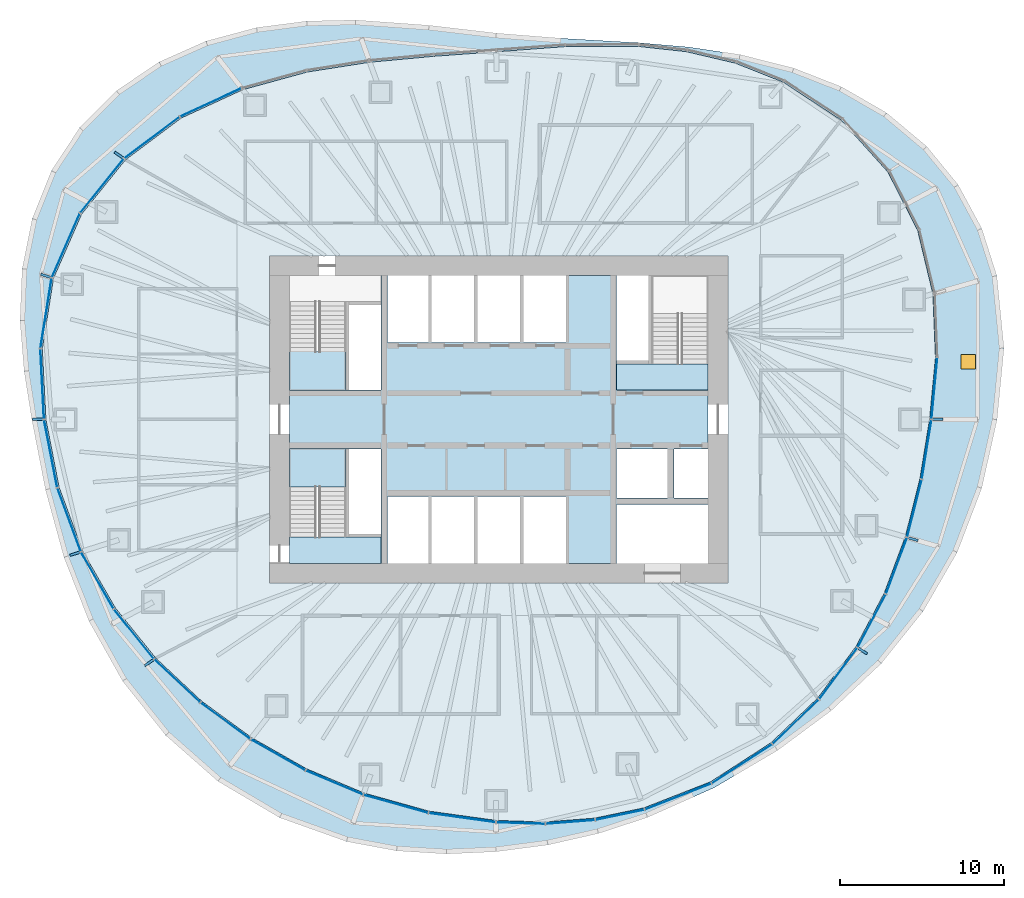
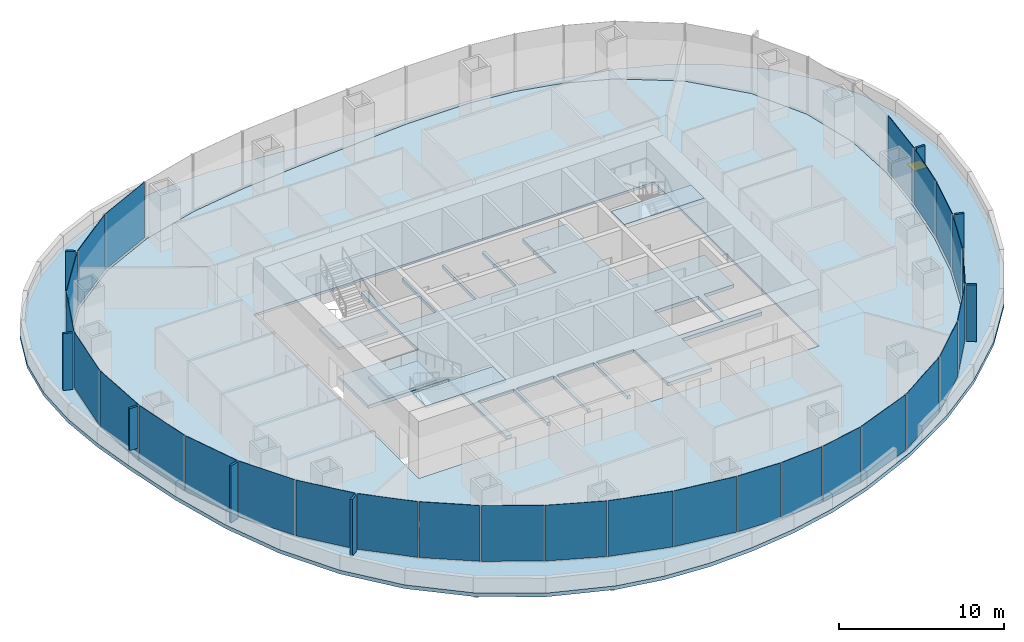
# One storey, part 7 of 12: 36 plates, 7 slabs, 1 window, 1 opening, 17 elements without a shape of their own.
"""IFC4 building model written with IfcOpenShell, lengths in metres."""

from ifc_helpers import new_model, si_unit, direction, frame, origin, origin_2d, place, context, subcontext, project, spatial, polyline, rectangle, outline, extrude, material, layer, layer_set, type_object, element, fill, aggregate, save


model = new_model("IFC4")

# Units and contexts
model_context = context("Model", 3, precision=1e-05, world=origin(), true_north=direction((0.0, 1.0)))
body_context = subcontext(model_context, "Body", "Model", "MODEL_VIEW")
ifc_project = project(units=[si_unit("LENGTHUNIT", "METRE"), si_unit("AREAUNIT", "SQUARE_METRE"), si_unit("VOLUMEUNIT", "CUBIC_METRE"), si_unit("PLANEANGLEUNIT", "RADIAN"), si_unit("MASSUNIT", "GRAM", prefix="KILO")], contexts=[model_context])

# Site, building, storey
site_placement = place(None, origin())
site = spatial("IfcSite", under=ifc_project, at=site_placement, CompositionType="ELEMENT")
building_placement = place(site_placement, origin())
building = spatial("IfcBuilding", under=site, at=building_placement, Name="Ghaith Harvest Tower", CompositionType="ELEMENT")
storey_placement = place(building_placement, frame((0.0, 0.0, 194.800048828125)))
storey = spatial("IfcBuildingStorey", under=building, at=storey_placement, Name="L42", CompositionType="ELEMENT", Elevation=194.800048828125)

# Curtain wall, plate
ifc_material_1 = material(Name="Black anodised aluminium and fritted glass", Category="aluminium")
curtain_wall_type = type_object("IfcCurtainWallType", Name="CW-H CURTAIN WALL", PredefinedType="NOTDEFINED", material=ifc_material_1)
curtain_wall_1_placement = place(storey_placement, origin())
curtain_wall_1 = element("IfcCurtainWall", 1, at=curtain_wall_1_placement, inside=storey, type_object=curtain_wall_type, Name="Curtain wall CW-H bay 01 L42", PredefinedType="NOTDEFINED")
ifc_material_2 = material(Name="Glass, dark solar-control fritted double glazed unit", Category="glass")
ifc_layer_1 = layer(ifc_material_2, 0.030029296875)
ifc_layer_set_1 = layer_set([ifc_layer_1], Name="CW-H VISION PANEL")
plate_type_1 = type_object("IfcPlateType", Name="CW-H VISION PANEL", PredefinedType="CURTAIN_PANEL", material=ifc_layer_set_1)
plate_1_placement = place(storey_placement, frame((26.624755859375, 1.89794921875, 0.079833984375), z_axis=(0.0, 0.0, 1.0), x_axis=(0.094301909937, 0.995543645343, 0.0)))
plate_1 = element("IfcPlate", 2, at=plate_1_placement, type_object=plate_type_1, Name="CW-H glass unit 1 bay 01 L42", PredefinedType="CURTAIN_PANEL", context=body_context, shape_type="SweptSolid", body=[
    extrude(rectangle(XDim=3.73291015625, YDim=0.030029296875, at=origin_2d()), origin(), (0.0, 0.0, 1.0), 4.1201171875),
])
aggregate(curtain_wall_1, [plate_1])

# Curtain wall, plates
curtain_wall_2_placement = place(storey_placement, origin())
curtain_wall_2 = element("IfcCurtainWall", 3, at=curtain_wall_2_placement, inside=storey, type_object=curtain_wall_type, Name="Curtain wall CW-H bay 08 L42", PredefinedType="NOTDEFINED")
plate_2_placement = place(storey_placement, frame((-17.608154296875, 19.370849609375, 0.079833984375), z_axis=(0.0, 0.0, 1.0), x_axis=(-0.907814470414, -0.419372015408, 0.0)))
plate_2 = element("IfcPlate", 4, at=plate_2_placement, type_object=plate_type_1, Name="CW-H glass unit 1 bay 08 L42", PredefinedType="CURTAIN_PANEL", context=body_context, shape_type="SweptSolid", body=[
    extrude(rectangle(XDim=4.077392578125, YDim=0.030029296875, at=origin_2d()), origin(), (0.0, 0.0, 1.0), 4.1201171875),
])
plate_3_placement = place(storey_placement, frame((-21.20166015625, 17.219482421875, 0.079833984375), z_axis=(0.0, 0.0, 1.0), x_axis=(-0.800067053187, -0.599910585341, 0.0)))
plate_3 = element("IfcPlate", 5, at=plate_3_placement, type_object=plate_type_1, Name="CW-H glass unit 2 bay 08 L42", PredefinedType="CURTAIN_PANEL", context=body_context, shape_type="SweptSolid", body=[
    extrude(rectangle(XDim=4.18603515625, YDim=0.030029296875, at=origin_2d()), origin(), (0.0, 0.0, 1.0), 4.1201171875),
])
aggregate(curtain_wall_2, [plate_2, plate_3])

curtain_wall_3_placement = place(storey_placement, origin())
curtain_wall_3 = element("IfcCurtainWall", 6, at=curtain_wall_3_placement, inside=storey, type_object=curtain_wall_type, Name="Curtain wall CW-H bay 09 L42", PredefinedType="NOTDEFINED")
plate_4_placement = place(storey_placement, frame((-24.25390625, 14.270263671875, 0.079833984375), z_axis=(0.0, 0.0, 1.0), x_axis=(-0.627547637499, -0.778578167347, 0.0)))
plate_4 = element("IfcPlate", 7, at=plate_4_placement, type_object=plate_type_1, Name="CW-H glass unit 1 bay 09 L42", PredefinedType="CURTAIN_PANEL", context=body_context, shape_type="SweptSolid", body=[
    extrude(rectangle(XDim=4.208740234375, YDim=0.030029296875, at=origin_2d()), origin(), (0.0, 0.0, 1.0), 4.1201171875),
])
plate_5_placement = place(storey_placement, frame((-26.462646484375, 10.63037109375, 0.079833984375), z_axis=(0.0, 0.0, 1.0), x_axis=(-0.40121291108, -0.915984825192, 0.0)))
plate_5 = element("IfcPlate", 8, at=plate_5_placement, type_object=plate_type_1, Name="CW-H glass unit 2 bay 09 L42", PredefinedType="CURTAIN_PANEL", context=body_context, shape_type="SweptSolid", body=[
    extrude(rectangle(XDim=4.22216796875, YDim=0.030029296875, at=origin_2d()), origin(), (0.0, 0.0, 1.0), 4.1201171875),
])
aggregate(curtain_wall_3, [plate_4, plate_5])

curtain_wall_4_placement = place(storey_placement, origin())
curtain_wall_4 = element("IfcCurtainWall", 9, at=curtain_wall_4_placement, inside=storey, type_object=curtain_wall_type, Name="Curtain wall CW-H bay 10 L42", PredefinedType="NOTDEFINED")
plate_6_placement = place(storey_placement, frame((-27.670654296875, 6.49658203125, 0.079833984375), z_axis=(0.0, 0.0, 1.0), x_axis=(-0.157514341695, -0.987516699687, 0.0)))
plate_6 = element("IfcPlate", 10, at=plate_6_placement, type_object=plate_type_1, Name="CW-H glass unit 1 bay 10 L42", PredefinedType="CURTAIN_PANEL", context=body_context, shape_type="SweptSolid", body=[
    extrude(rectangle(XDim=4.301513671875, YDim=0.030029296875, at=origin_2d()), origin(), (0.0, 0.0, 1.0), 4.1201171875),
])
plate_7_placement = place(storey_placement, frame((-27.905517578125, 2.16650390625, 0.079833984375), z_axis=(0.0, 0.0, 1.0), x_axis=(0.050894857592, -0.998704016949, 0.0)))
plate_7 = element("IfcPlate", 11, at=plate_7_placement, type_object=plate_type_1, Name="CW-H glass unit 2 bay 10 L42", PredefinedType="CURTAIN_PANEL", context=body_context, shape_type="SweptSolid", body=[
    extrude(rectangle(XDim=4.2587890625, YDim=0.030029296875, at=origin_2d()), origin(), (0.0, 0.0, 1.0), 4.1201171875),
])
aggregate(curtain_wall_4, [plate_6, plate_7])

curtain_wall_5_placement = place(storey_placement, origin())
curtain_wall_5 = element("IfcCurtainWall", 12, at=curtain_wall_5_placement, inside=storey, type_object=curtain_wall_type, Name="Curtain wall CW-H bay 11 L42", PredefinedType="NOTDEFINED")
plate_8_placement = place(storey_placement, frame((-27.39013671875, -2.0869140625, 0.079833984375), z_axis=(0.0, 0.0, 1.0), x_axis=(0.190426809322, -0.981701395686, 0.0)))
plate_8 = element("IfcPlate", 13, at=plate_8_placement, type_object=plate_type_1, Name="CW-H glass unit 1 bay 11 L42", PredefinedType="CURTAIN_PANEL", context=body_context, shape_type="SweptSolid", body=[
    extrude(rectangle(XDim=4.171630859375, YDim=0.030029296875, at=origin_2d()), origin(), (0.0, 0.0, 1.0), 4.1201171875),
])
plate_9_placement = place(storey_placement, frame((-26.261962890625, -6.1337890625, 0.079833984375), z_axis=(0.0, 0.0, 1.0), x_axis=(0.346303431688, -0.938122557666, 0.0)))
plate_9 = element("IfcPlate", 14, at=plate_9_placement, type_object=plate_type_1, Name="CW-H glass unit 2 bay 11 L42", PredefinedType="CURTAIN_PANEL", context=body_context, shape_type="SweptSolid", body=[
    extrude(rectangle(XDim=4.098388671875, YDim=0.030029296875, at=origin_2d()), origin(), (0.0, 0.0, 1.0), 4.1201171875),
])
aggregate(curtain_wall_5, [plate_8, plate_9])

curtain_wall_6_placement = place(storey_placement, origin())
curtain_wall_6 = element("IfcCurtainWall", 15, at=curtain_wall_6_placement, inside=storey, type_object=curtain_wall_type, Name="Curtain wall CW-H bay 12 L42", PredefinedType="NOTDEFINED")
plate_10_placement = place(storey_placement, frame((-24.535888671875, -9.838623046875, 0.079833984375), z_axis=(0.0, 0.0, 1.0), x_axis=(0.49818018945, -0.867073525625, 0.0)))
plate_10 = element("IfcPlate", 16, at=plate_10_placement, type_object=plate_type_1, Name="CW-H glass unit 1 bay 12 L42", PredefinedType="CURTAIN_PANEL", context=body_context, shape_type="SweptSolid", body=[
    extrude(rectangle(XDim=3.945068359375, YDim=0.030029296875, at=origin_2d()), origin(), (0.0, 0.0, 1.0), 4.1201171875),
])
plate_11_placement = place(storey_placement, frame((-22.29736328125, -13.119140625, 0.079833984375), z_axis=(0.0, 0.0, 1.0), x_axis=(0.626957061695, -0.779053812513, 0.0)))
plate_11 = element("IfcPlate", 17, at=plate_11_placement, type_object=plate_type_1, Name="CW-H glass unit 2 bay 12 L42", PredefinedType="CURTAIN_PANEL", context=body_context, shape_type="SweptSolid", body=[
    extrude(rectangle(XDim=3.8623046875, YDim=0.030029296875, at=origin_2d()), origin(), (0.0, 0.0, 1.0), 4.1201171875),
])
aggregate(curtain_wall_6, [plate_10, plate_11])

curtain_wall_7_placement = place(storey_placement, origin())
curtain_wall_7 = element("IfcCurtainWall", 18, at=curtain_wall_7_placement, inside=storey, type_object=curtain_wall_type, Name="Curtain wall CW-H bay 13 L42", PredefinedType="NOTDEFINED")
plate_12_placement = place(storey_placement, frame((-19.649658203125, -15.98046875, 0.079833984375), z_axis=(0.0, 0.0, 1.0), x_axis=(0.729016864325, -0.684495735217, 0.0)))
plate_12 = element("IfcPlate", 19, at=plate_12_placement, type_object=plate_type_1, Name="CW-H glass unit 1 bay 13 L42", PredefinedType="CURTAIN_PANEL", context=body_context, shape_type="SweptSolid", body=[
    extrude(rectangle(XDim=3.793212890625, YDim=0.030029296875, at=origin_2d()), origin(), (0.0, 0.0, 1.0), 4.1201171875),
])
plate_13_placement = place(storey_placement, frame((-16.707763671875, -18.42431640625, 0.079833984375), z_axis=(0.0, 0.0, 1.0), x_axis=(0.80736351134, -0.590054370848, 0.0)))
plate_13 = element("IfcPlate", 20, at=plate_13_placement, type_object=plate_type_1, Name="CW-H glass unit 2 bay 13 L42", PredefinedType="CURTAIN_PANEL", context=body_context, shape_type="SweptSolid", body=[
    extrude(rectangle(XDim=3.710693359375, YDim=0.030029296875, at=origin_2d()), origin(), (0.0, 0.0, 1.0), 4.1201171875),
])
aggregate(curtain_wall_7, [plate_12, plate_13])

curtain_wall_8_placement = place(storey_placement, origin())
curtain_wall_8 = element("IfcCurtainWall", 21, at=curtain_wall_8_placement, inside=storey, type_object=curtain_wall_type, Name="Curtain wall CW-H bay 14 L42", PredefinedType="NOTDEFINED")
plate_14_placement = place(storey_placement, frame((-13.496337890625, -20.496826171875, 0.079833984375), z_axis=(0.0, 0.0, 1.0), x_axis=(0.869715300233, -0.493553742303, 0.0)))
plate_14 = element("IfcPlate", 22, at=plate_14_placement, type_object=plate_type_1, Name="CW-H glass unit 1 bay 14 L42", PredefinedType="CURTAIN_PANEL", context=body_context, shape_type="SweptSolid", body=[
    extrude(rectangle(XDim=3.785888671875, YDim=0.030029296875, at=origin_2d()), origin(), (0.0, 0.0, 1.0), 4.1201171875),
])
plate_15_placement = place(storey_placement, frame((-10.050537109375, -22.1962890625, 0.079833984375), z_axis=(0.0, 0.0, 1.0), x_axis=(0.921181516072, -0.389133157734, 0.0)))
plate_15 = element("IfcPlate", 23, at=plate_15_placement, type_object=plate_type_1, Name="CW-H glass unit 2 bay 14 L42", PredefinedType="CURTAIN_PANEL", context=body_context, shape_type="SweptSolid", body=[
    extrude(rectangle(XDim=3.751220703125, YDim=0.030029296875, at=origin_2d()), origin(), (0.0, 0.0, 1.0), 4.1201171875),
])
aggregate(curtain_wall_8, [plate_14, plate_15])

curtain_wall_9_placement = place(storey_placement, origin())
curtain_wall_9 = element("IfcCurtainWall", 24, at=curtain_wall_9_placement, inside=storey, type_object=curtain_wall_type, Name="Curtain wall CW-H bay 15 L42", PredefinedType="NOTDEFINED")
plate_16_placement = place(storey_placement, frame((-6.291015625, -23.49853515625, 0.079833984375), z_axis=(0.0, 0.0, 1.0), x_axis=(0.963162861349, -0.268918765647, 0.0)))
plate_16 = element("IfcPlate", 25, at=plate_16_placement, type_object=plate_type_1, Name="CW-H glass unit 1 bay 15 L42", PredefinedType="CURTAIN_PANEL", context=body_context, shape_type="SweptSolid", body=[
    extrude(rectangle(XDim=4.062744140625, YDim=0.030029296875, at=origin_2d()), origin(), (0.0, 0.0, 1.0), 4.1201171875),
])
plate_17_placement = place(storey_placement, frame((-2.232177734375, -24.34033203125, 0.079833984375), z_axis=(0.0, 0.0, 1.0), x_axis=(0.990612268407, -0.136701622823, 0.0)))
plate_17 = element("IfcPlate", 26, at=plate_17_placement, type_object=plate_type_1, Name="CW-H glass unit 2 bay 15 L42", PredefinedType="CURTAIN_PANEL", context=body_context, shape_type="SweptSolid", body=[
    extrude(rectangle(XDim=4.08642578125, YDim=0.030029296875, at=origin_2d()), origin(), (0.0, 0.0, 1.0), 4.1201171875),
])
aggregate(curtain_wall_9, [plate_16, plate_17])

curtain_wall_10_placement = place(storey_placement, origin())
curtain_wall_10 = element("IfcCurtainWall", 27, at=curtain_wall_10_placement, inside=storey, type_object=curtain_wall_type, Name="Curtain wall CW-H bay 16 L42", PredefinedType="NOTDEFINED")
plate_18_placement = place(storey_placement, frame((1.339599609375, -24.67333984375, 0.079833984375), z_axis=(0.0, 0.0, 1.0), x_axis=(0.99949125523, -0.031894054587, 0.0)))
plate_18 = element("IfcPlate", 28, at=plate_18_placement, type_object=plate_type_1, Name="CW-H glass unit 1 bay 16 L42", PredefinedType="CURTAIN_PANEL", context=body_context, shape_type="SweptSolid", body=[
    extrude(rectangle(XDim=2.937744140625, YDim=0.030029296875, at=origin_2d()), origin(), (0.0, 0.0, 1.0), 4.1201171875),
])
plate_19_placement = place(storey_placement, frame((4.37060546875, -24.60205078125, 0.079833984375), z_axis=(0.0, 0.0, 1.0), x_axis=(0.996945418782, 0.078101421048, 0.0)))
plate_19 = element("IfcPlate", 29, at=plate_19_placement, type_object=plate_type_1, Name="CW-H glass unit 2 bay 16 L42", PredefinedType="CURTAIN_PANEL", context=body_context, shape_type="SweptSolid", body=[
    extrude(rectangle(XDim=2.974853515625, YDim=0.030029296875, at=origin_2d()), origin(), (0.0, 0.0, 1.0), 4.1201171875),
])
plate_20_placement = place(storey_placement, frame((7.40478515625, -24.16650390625, 0.079833984375), z_axis=(0.0, 0.0, 1.0), x_axis=(0.978788872874, 0.204871526422, 0.0)))
plate_20 = element("IfcPlate", 30, at=plate_20_placement, type_object=plate_type_1, Name="CW-H glass unit 3 bay 16 L42", PredefinedType="CURTAIN_PANEL", context=body_context, shape_type="SweptSolid", body=[
    extrude(rectangle(XDim=3.00830078125, YDim=0.030029296875, at=origin_2d()), origin(), (0.0, 0.0, 1.0), 4.1201171875),
])
aggregate(curtain_wall_10, [plate_18, plate_19, plate_20])

curtain_wall_11_placement = place(storey_placement, origin())
curtain_wall_11 = element("IfcCurtainWall", 31, at=curtain_wall_11_placement, inside=storey, type_object=curtain_wall_type, Name="Curtain wall CW-H bay 17 L42", PredefinedType="NOTDEFINED")
plate_21_placement = place(storey_placement, frame((10.963134765625, -23.048583984375, 0.079833984375), z_axis=(0.0, 0.0, 1.0), x_axis=(0.931161161765, 0.364607858966, 0.0)))
plate_21 = element("IfcPlate", 32, at=plate_21_placement, type_object=plate_type_1, Name="CW-H glass unit 1 bay 17 L42", PredefinedType="CURTAIN_PANEL", context=body_context, shape_type="SweptSolid", body=[
    extrude(rectangle(XDim=4.316650390625, YDim=0.030029296875, at=origin_2d()), origin(), (0.0, 0.0, 1.0), 4.1201171875),
])
plate_22_placement = place(storey_placement, frame((14.869384765625, -21.042724609375, 0.079833984375), z_axis=(0.0, 0.0, 1.0), x_axis=(0.839305300126, 0.543660384045, 0.0)))
plate_22 = element("IfcPlate", 33, at=plate_22_placement, type_object=plate_type_1, Name="CW-H glass unit 2 bay 17 L42", PredefinedType="CURTAIN_PANEL", context=body_context, shape_type="SweptSolid", body=[
    extrude(rectangle(XDim=4.35107421875, YDim=0.030029296875, at=origin_2d()), origin(), (0.0, 0.0, 1.0), 4.1201171875),
])
aggregate(curtain_wall_11, [plate_21, plate_22])

curtain_wall_12_placement = place(storey_placement, origin())
curtain_wall_12 = element("IfcCurtainWall", 34, at=curtain_wall_12_placement, inside=storey, type_object=curtain_wall_type, Name="Curtain wall CW-H bay 18 L42", PredefinedType="NOTDEFINED")
plate_23_placement = place(storey_placement, frame((18.151611328125, -18.47705078125, 0.079833984375), z_axis=(0.0, 0.0, 1.0), x_axis=(0.722532585058, 0.691336866896, 0.0)))
plate_23 = element("IfcPlate", 35, at=plate_23_placement, type_object=plate_type_1, Name="CW-H glass unit 1 bay 18 L42", PredefinedType="CURTAIN_PANEL", context=body_context, shape_type="SweptSolid", body=[
    extrude(rectangle(XDim=3.85791015625, YDim=0.030029296875, at=origin_2d()), origin(), (0.0, 0.0, 1.0), 4.1201171875),
])
plate_24_placement = place(storey_placement, frame((20.74853515625, -15.53369140625, 0.079833984375), z_axis=(0.0, 0.0, 1.0), x_axis=(0.596018639888, 0.802970597784, 0.0)))
plate_24 = element("IfcPlate", 36, at=plate_24_placement, type_object=plate_type_1, Name="CW-H glass unit 2 bay 18 L42", PredefinedType="CURTAIN_PANEL", context=body_context, shape_type="SweptSolid", body=[
    extrude(rectangle(XDim=3.8603515625, YDim=0.030029296875, at=origin_2d()), origin(), (0.0, 0.0, 1.0), 4.1201171875),
])
aggregate(curtain_wall_12, [plate_23, plate_24])

curtain_wall_13_placement = place(storey_placement, origin())
curtain_wall_13 = element("IfcCurtainWall", 37, at=curtain_wall_13_placement, inside=storey, type_object=curtain_wall_type, Name="Curtain wall CW-H bay 19 L42", PredefinedType="NOTDEFINED")
plate_25_placement = place(storey_placement, frame((22.79052734375, -12.316162109375, 0.079833984375), z_axis=(0.0, 0.0, 1.0), x_axis=(0.46864379564, 0.883387226989, 0.0)))
plate_25 = element("IfcPlate", 38, at=plate_25_placement, type_object=plate_type_1, Name="CW-H glass unit 1 bay 19 L42", PredefinedType="CURTAIN_PANEL", context=body_context, shape_type="SweptSolid", body=[
    extrude(rectangle(XDim=3.623291015625, YDim=0.030029296875, at=origin_2d()), origin(), (0.0, 0.0, 1.0), 4.1201171875),
])
plate_26_placement = place(storey_placement, frame((24.30712890625, -8.946533203125, 0.079833984375), z_axis=(0.0, 0.0, 1.0), x_axis=(0.350480749824, 0.936569935457, 0.0)))
plate_26 = element("IfcPlate", 39, at=plate_26_placement, type_object=plate_type_1, Name="CW-H glass unit 2 bay 19 L42", PredefinedType="CURTAIN_PANEL", context=body_context, shape_type="SweptSolid", body=[
    extrude(rectangle(XDim=3.62255859375, YDim=0.030029296875, at=origin_2d()), origin(), (0.0, 0.0, 1.0), 4.1201171875),
])
aggregate(curtain_wall_13, [plate_25, plate_26])

curtain_wall_14_placement = place(storey_placement, origin())
curtain_wall_14 = element("IfcCurtainWall", 40, at=curtain_wall_14_placement, inside=storey, type_object=curtain_wall_type, Name="Curtain wall CW-H bay 20 L42", PredefinedType="NOTDEFINED")
plate_27_placement = place(storey_placement, frame((25.404541015625, -5.43701171875, 0.079833984375), z_axis=(0.0, 0.0, 1.0), x_axis=(0.244925945134, 0.969541789404, 0.0)))
plate_27 = element("IfcPlate", 41, at=plate_27_placement, type_object=plate_type_1, Name="CW-H glass unit 1 bay 20 L42", PredefinedType="CURTAIN_PANEL", context=body_context, shape_type="SweptSolid", body=[
    extrude(rectangle(XDim=3.583251953125, YDim=0.030029296875, at=origin_2d()), origin(), (0.0, 0.0, 1.0), 4.1201171875),
])
plate_28_placement = place(storey_placement, frame((26.14892578125, -1.83056640625, 0.079833984375), z_axis=(0.0, 0.0, 1.0), x_axis=(0.159600748097, 0.987181645497, 0.0)))
plate_28 = element("IfcPlate", 42, at=plate_28_placement, type_object=plate_type_1, Name="CW-H glass unit 2 bay 20 L42", PredefinedType="CURTAIN_PANEL", context=body_context, shape_type="SweptSolid", body=[
    extrude(rectangle(XDim=3.628662109375, YDim=0.030029296875, at=origin_2d()), origin(), (0.0, 0.0, 1.0), 4.1201171875),
])
aggregate(curtain_wall_14, [plate_27, plate_28])

# Slabs
ifc_material_3 = material(Name="Concrete C40/50", Category="concrete")
ifc_layer_2 = layer(ifc_material_3, 0.169921875)
ifc_layer_set_2 = layer_set([ifc_layer_2], Name="FLOOR SLAB 170")
slab_type_1 = type_object("IfcSlabType", Name="FLOOR SLAB 170", PredefinedType="FLOOR", material=ifc_layer_set_2)
slab_1_placement = place(storey_placement, frame((0.0, 0.0, -0.170166015625)))
element("IfcSlab", 43, at=slab_1_placement, inside=storey, type_object=slab_type_1, Name="Floor slab L42", PredefinedType="FLOOR", context=body_context, shape_type="SweptSolid", body=[
    extrude(outline(polyline([(26.324951171875, 0.0), (26.685791015625, 3.779052734375), (26.531005859375, 7.668212890625), (25.597900390625, 11.55615234375), (23.77294921875, 15.12939453125), (20.923095703125, 18.295166015625), (17.382080078125, 20.612548828125), (14.460693359375, 21.771484375), (11.47265625, 22.47265625), (8.522216796875, 22.796875), (4.03857421875, 22.78125), (-0.15380859375, 22.470458984375), (-3.963134765625, 22.192138671875), (-7.8837890625, 21.827880859375), (-11.694580078125, 21.2314453125), (-15.6474609375, 20.147705078125), (-19.408203125, 18.41650390625), (-22.809814453125, 15.87109375), (-25.491943359375, 12.547607421875), (-27.211181640625, 8.623779296875), (-27.897216796875, 4.314697265625), (-27.675048828125, 0.0), (-26.86669921875, -4.155517578125), (-25.424072265625, -8.057373046875), (-23.425537109375, -11.530517578125), (-20.963134765625, -14.586181640625), (-18.15087890625, -17.223388671875), (-15.10400390625, -19.447998046875), (-11.75732421875, -21.345703125), (-8.2451171875, -22.82861328125), (-4.27490234375, -23.9375), (-0.167724609375, -24.505126953125), (2.833984375, -24.602294921875), (5.865234375, -24.3662109375), (8.8740234375, -23.73779296875), (12.949462890625, -22.1435546875), (16.651611328125, -19.746337890625), (19.48388671875, -17.036865234375), (21.821533203125, -13.887451171875), (23.548828125, -10.631103515625), (24.840576171875, -7.179443359375), (25.734375, -3.644287109375), (26.324951171875, 0.0)]), holes=[polyline([(-14.0, -10.0), (14.0, -10.0), (14.0, 10.0), (-14.0, 10.0), (-14.0, -10.0)])]), origin(), (0.0, 0.0, 1.0), 0.170166015625),
])
ifc_material_4 = material(Name="Concrete C40/50", Category="concrete")
ifc_layer_3 = layer(ifc_material_4, 0.25)
ifc_layer_set_3 = layer_set([ifc_layer_3], Name="FLOOR SLAB 250")
slab_type_2 = type_object("IfcSlabType", Name="FLOOR SLAB 250", PredefinedType="FLOOR", material=ifc_layer_set_3)
slab_2_placement = place(storey_placement, frame((0.0, 0.0, -0.25)))
element("IfcSlab", 44, at=slab_2_placement, inside=storey, type_object=slab_type_2, Name="Core slab L42", PredefinedType="FLOOR", context=body_context, shape_type="SweptSolid", body=[
    extrude(outline(polyline([(-12.800048828125, 1.800048828125), (-7.199951171875, 1.800048828125), (-7.199951171875, 8.800048828125), (-6.800048828125, 8.800048828125), (-6.800048828125, 4.699951171875), (-4.300048828125, 4.699951171875), (-4.300048828125, 8.800048828125), (-4.10009765625, 8.800048828125), (-4.10009765625, 4.699951171875), (-1.5, 4.699951171875), (-1.5, 8.800048828125), (-1.300048828125, 8.800048828125), (-1.300048828125, 4.699951171875), (1.300048828125, 4.699951171875), (1.300048828125, 8.800048828125), (1.5, 8.800048828125), (1.5, 4.699951171875), (4.10009765625, 4.699951171875), (4.10009765625, 8.800048828125), (7.199951171875, 8.800048828125), (7.199951171875, 1.800048828125), (12.800048828125, 1.800048828125), (12.800048828125, -1.800048828125), (10.699951171875, -1.800048828125), (10.699951171875, -4.800048828125), (12.800048828125, -4.800048828125), (12.800048828125, -5.199951171875), (7.199951171875, -5.199951171875), (7.199951171875, -8.800048828125), (4.10009765625, -8.800048828125), (4.10009765625, -4.699951171875), (1.5, -4.699951171875), (1.5, -8.800048828125), (1.300048828125, -8.800048828125), (1.300048828125, -4.699951171875), (-1.300048828125, -4.699951171875), (-1.300048828125, -8.800048828125), (-1.5, -8.800048828125), (-1.5, -4.699951171875), (-4.10009765625, -4.699951171875), (-4.10009765625, -8.800048828125), (-4.300048828125, -8.800048828125), (-4.300048828125, -4.699951171875), (-6.800048828125, -4.699951171875), (-6.800048828125, -8.800048828125), (-7.199951171875, -8.800048828125), (-7.199951171875, -1.800048828125), (-12.800048828125, -1.800048828125), (-12.800048828125, 1.800048828125)]), holes=[polyline([(10.300048828125, -4.800048828125), (10.300048828125, -1.800048828125), (7.199951171875, -1.800048828125), (7.199951171875, -4.800048828125), (10.300048828125, -4.800048828125)])]), origin(), (0.0, 0.0, 1.0), 0.25),
])

# Slab, opening, window
ifc_material_5 = material(Name="Concrete C40/50", Category="concrete")
ifc_layer_4 = layer(ifc_material_5, 0.27490234375)
ifc_layer_set_4 = layer_set([ifc_layer_4], Name="ROOF SLAB 275")
slab_type_3 = type_object("IfcSlabType", Name="ROOF SLAB 275", PredefinedType="ROOF", material=ifc_layer_set_4)
slab_3_placement = place(storey_placement, frame((0.0, 0.0, -0.275146484375)))
slab_3 = element("IfcSlab", 45, at=slab_3_placement, inside=storey, type_object=slab_type_3, Name="Maintenance roof", PredefinedType="ROOF", context=body_context, shape_type="SweptSolid", body=[
    extrude(outline(polyline([(29.527099609375, -4.181396484375), (28.03125, -8.1015625), (25.94775390625, -11.714111328125), (23.400390625, -14.89208984375), (20.33935546875, -17.784912109375), (17.054443359375, -20.22412109375), (13.163818359375, -22.510498046875), (9.09423828125, -24.326904296875), (6.09228515625, -25.308837890625), (2.99609375, -26.010009765625), (-0.180908203125, -26.423583984375), (-3.204833984375, -26.556884765625), (-6.2666015625, -26.366455078125), (-9.317138671875, -25.79638671875), (-13.4052734375, -24.33740234375), (-17.1728515625, -22.11181640625), (-20.35400390625, -19.31396484375), (-22.99169921875, -15.997802734375), (-25.046875, -12.32861328125), (-26.580078125, -8.423583984375), (-27.70947265625, -4.285888671875), (-28.541259765625, 0.0), (-29.01171875, 2.978271484375), (-29.260498046875, 6.07177734375), (-29.12646484375, 9.230712890625), (-28.506591796875, 12.29638671875), (-27.33837890625, 15.204833984375), (-25.61962890625, 17.826416015625), (-23.398193359375, 20.06103515625), (-20.79248046875, 21.82470703125), (-17.938232421875, 23.097412109375), (-14.860595703125, 23.927978515625), (-11.788818359375, 24.331787109375), (-8.814208984375, 24.404541015625), (-4.302001953125, 24.089111328125), (-0.16162109375, 23.609619140625), (4.125732421875, 23.272705078125), (8.604736328125, 23.017333984375), (11.617919921875, 22.757080078125), (14.79833984375, 22.27978515625), (18.0849609375, 21.4462890625), (20.97998046875, 20.3056640625), (23.7275390625, 18.718017578125), (26.179443359375, 16.660888671875), (28.0888671875, 14.32568359375), (29.52294921875, 11.671875), (30.439208984375, 8.797607421875), (30.8798828125, 4.373046875), (30.458740234375, 0.0), (29.527099609375, -4.181396484375)]), holes=[polyline([(26.685791015625, 3.779052734375), (26.531005859375, 7.668212890625), (25.597900390625, 11.55615234375), (23.77294921875, 15.12939453125), (20.923095703125, 18.295166015625), (17.382080078125, 20.612548828125), (14.460693359375, 21.771484375), (11.47265625, 22.47265625), (8.522216796875, 22.796875), (4.03857421875, 22.78125), (-0.15380859375, 22.470458984375), (-3.963134765625, 22.192138671875), (-7.8837890625, 21.827880859375), (-11.694580078125, 21.2314453125), (-15.6474609375, 20.147705078125), (-19.408203125, 18.41650390625), (-22.809814453125, 15.87109375), (-25.491943359375, 12.547607421875), (-27.211181640625, 8.623779296875), (-27.897216796875, 4.314697265625), (-27.675048828125, 0.0), (-26.86669921875, -4.155517578125), (-25.424072265625, -8.057373046875), (-23.425537109375, -11.530517578125), (-20.963134765625, -14.586181640625), (-18.15087890625, -17.223388671875), (-15.10400390625, -19.447998046875), (-11.75732421875, -21.345703125), (-8.2451171875, -22.82861328125), (-4.27490234375, -23.9375), (-0.167724609375, -24.505126953125), (2.833984375, -24.602294921875), (5.865234375, -24.3662109375), (8.8740234375, -23.73779296875), (12.949462890625, -22.1435546875), (16.651611328125, -19.746337890625), (19.48388671875, -17.036865234375), (21.821533203125, -13.887451171875), (23.548828125, -10.631103515625), (24.840576171875, -7.179443359375), (25.734375, -3.644287109375), (26.324951171875, 0.0), (26.685791015625, 3.779052734375)])]), origin(), (0.0, 0.0, 1.0), 0.275146484375),
])
opening_placement = place(slab_3_placement, frame((28.68896484375, 3.52294921875, 0.0)))
opening = element("IfcOpeningElement", 46, at=opening_placement, cuts=slab_3, Name="Opening RH1", PredefinedType="OPENING", context=body_context, shape_type="SweptSolid", body=[
    extrude(rectangle(XDim=0.89990234375, YDim=0.89990234375, at=origin_2d()), origin(), (0.0, 0.0, 1.0), 0.275146484375),
])
ifc_material_6 = material(Name="Aluminium hatch", Category="aluminium")
window_type = type_object("IfcWindowType", Name="ROOF ACCESS HATCH 900x900", PartitioningType="SINGLE_PANEL", PredefinedType="SKYLIGHT", material=ifc_material_6)
window_placement = place(opening_placement, frame((0.0, 0.0, 0.22509765625)))
window = element("IfcWindow", 47, at=window_placement, inside=storey, type_object=window_type, Name="Roof access hatch L42", OverallHeight=0.89990234375, OverallWidth=0.89990234375, PartitioningType="SINGLE_PANEL", PredefinedType="SKYLIGHT", context=body_context, shape_type="SweptSolid", body=[
    extrude(rectangle(XDim=0.89990234375, YDim=0.89990234375, at=origin_2d()), origin(), (0.0, 0.0, 1.0), 0.050048828125),
])
fill(opening, window)

# Stair, slab
ifc_material_7 = material(Name="Concrete C40/50, precast", Category="concrete")
stair_type = type_object("IfcStairType", Name="CORE STAIR 24R", PredefinedType="HALF_TURN_STAIR", material=ifc_material_7)
stair_1_placement = place(storey_placement, origin())
stair_1 = element("IfcStair", 48, at=stair_1_placement, inside=storey, type_object=stair_type, Name="Stair ST1 L42", PredefinedType="HALF_TURN_STAIR")
ifc_material_8 = material(Name="Concrete C40/50, precast", Category="concrete")
ifc_layer_5 = layer(ifc_material_8, 0.179931640625)
ifc_layer_set_5 = layer_set([ifc_layer_5], Name="STAIR LANDING 180")
slab_type_4 = type_object("IfcSlabType", Name="STAIR LANDING 180", PredefinedType="LANDING", material=ifc_layer_set_5)
slab_4_placement = place(storey_placement, frame((0.0, 0.0, 1.919921875)))
slab_4 = element("IfcSlab", 49, at=slab_4_placement, type_object=slab_type_4, Name="ST1 landing 1", PredefinedType="LANDING", context=body_context, shape_type="SweptSolid", body=[
    extrude(outline(polyline([(-12.800048828125, 4.139892578125), (-12.800048828125, 1.77490234375), (-9.35009765625, 1.77490234375), (-9.35009765625, 4.139892578125), (-12.800048828125, 4.139892578125)])), origin(), (0.0, 0.0, 1.0), 0.179931640625),
])
aggregate(stair_1, [slab_4])

# Stair, slabs
stair_2_placement = place(storey_placement, origin())
stair_2 = element("IfcStair", 50, at=stair_2_placement, inside=storey, type_object=stair_type, Name="Stair ST3 L42", PredefinedType="HALF_TURN_STAIR")
slab_5_placement = place(storey_placement, frame((0.0, 0.0, 1.919921875)))
slab_5 = element("IfcSlab", 51, at=slab_5_placement, type_object=slab_type_4, Name="ST3 landing 1", PredefinedType="LANDING", context=body_context, shape_type="SweptSolid", body=[
    extrude(outline(polyline([(-12.800048828125, -4.139892578125), (-12.800048828125, -1.77490234375), (-9.35009765625, -1.77490234375), (-9.35009765625, -4.139892578125), (-12.800048828125, -4.139892578125)])), origin(), (0.0, 0.0, 1.0), 0.179931640625),
])
slab_6_placement = place(storey_placement, frame((0.0, 0.0, 4.02001953125)))
slab_6 = element("IfcSlab", 52, at=slab_6_placement, type_object=slab_type_4, Name="ST3 landing 2", PredefinedType="LANDING", context=body_context, shape_type="SweptSolid", body=[
    extrude(outline(polyline([(-12.800048828125, -8.800048828125), (-12.800048828125, -7.199951171875), (-7.199951171875, -7.199951171875), (-7.199951171875, -8.800048828125), (-12.800048828125, -8.800048828125)])), origin(), (0.0, 0.0, 1.0), 0.179931640625),
])
aggregate(stair_2, [slab_5, slab_6])

# Stair, slab
stair_3_placement = place(storey_placement, origin())
stair_3 = element("IfcStair", 53, at=stair_3_placement, inside=storey, type_object=stair_type, Name="Stair ST2 L42", PredefinedType="HALF_TURN_STAIR")
slab_7_placement = place(storey_placement, frame((0.0, 0.0, 4.02001953125)))
slab_7 = element("IfcSlab", 54, at=slab_7_placement, type_object=slab_type_4, Name="ST2 landing 2", PredefinedType="LANDING", context=body_context, shape_type="SweptSolid", body=[
    extrude(outline(polyline([(12.800048828125, 1.800048828125), (12.800048828125, 3.39990234375), (7.199951171875, 3.39990234375), (7.199951171875, 1.800048828125), (12.800048828125, 1.800048828125)])), origin(), (0.0, 0.0, 1.0), 0.179931640625),
])
aggregate(stair_3, [slab_7])

# Plates
ifc_material_9 = material(Name="Glassfibre-reinforced concrete", Category="concrete")
ifc_layer_6 = layer(ifc_material_9, 0.14990234375)
ifc_layer_set_6 = layer_set([ifc_layer_6], Name="SUN-BREAKER FIN 600x150")
plate_type_2 = type_object("IfcPlateType", Name="SUN-BREAKER FIN 600x150", PredefinedType="USERDEFINED", material=ifc_layer_set_6)
for number, where, z_axis, x_axis, name in (
    (55, (26.844970703125, 0.0, 0.0), (0.0, 0.0, 1.0), (1.0, 0.0, 0.0), "Sun-breaker fin CW-H 1 bay 01 L42"),
    (56, (-23.236572265625, 16.168212890625, 0.0), (0.0, 0.0, 1.0), (-0.820845486523, 0.571150319316, 0.0), "Sun-breaker fin CW-H 1 bay 09 L42"),
    (57, (-27.70703125, 8.78076171875, 0.0), (0.0, 0.0, 1.0), (-0.953273219358, 0.302109531884, 0.0), "Sun-breaker fin CW-H 1 bay 10 L42"),
):
    element("IfcPlate", number, at=place(storey_placement, frame(where, z_axis=z_axis, x_axis=x_axis)), inside=storey, type_object=plate_type_2, Name=name, ObjectType="SUN-BREAKER FIN", PredefinedType="USERDEFINED", context=body_context, shape_type="SweptSolid", body=[
        extrude(rectangle(XDim=0.60009765625, YDim=0.14990234375, at=origin_2d()), origin(), (0.0, 0.0, 1.0), 4.199951171875),
    ])
plate_29_placement = place(storey_placement, frame((-28.195068359375, 0.0, 1.099853515625), z_axis=(0.0, 0.0, 1.0), x_axis=(-1.0, -4.19e-10, 0.0)))
element("IfcPlate", 58, at=plate_29_placement, inside=storey, type_object=plate_type_2, Name="Sun-breaker fin CW-H 1 bay 11 L42", ObjectType="SUN-BREAKER FIN", PredefinedType="USERDEFINED", context=body_context, shape_type="SweptSolid", body=[
    extrude(rectangle(XDim=0.60009765625, YDim=0.14990234375, at=origin_2d()), origin(), (0.0, 0.0, 1.0), 3.10009765625),
])
for number, where, z_axis, x_axis, name in (
    (59, (-25.919677734375, -8.21435546875, 0.0), (0.0, 0.0, 1.0), (-0.953273219416, -0.302109531701, 0.0), "Sun-breaker fin CW-H 1 bay 12 L42"),
    (60, (-21.389892578125, -14.88330078125, 0.0), (0.0, 0.0, 1.0), (-0.820845486622, -0.571150319173, 0.0), "Sun-breaker fin CW-H 1 bay 13 L42"),
    (61, (22.26025390625, -14.16650390625, 0.0), (0.0, 0.0, 1.0), (0.84364397137, -0.536903016913, 0.0), "Sun-breaker fin CW-H 1 bay 19 L42"),
    (62, (25.340087890625, -7.32373046875, 0.0), (0.0, 0.0, 1.0), (0.960680349932, -0.277656739976, 0.0), "Sun-breaker fin CW-H 1 bay 20 L42"),
):
    element("IfcPlate", number, at=place(storey_placement, frame(where, z_axis=z_axis, x_axis=x_axis)), inside=storey, type_object=plate_type_2, Name=name, ObjectType="SUN-BREAKER FIN", PredefinedType="USERDEFINED", context=body_context, shape_type="SweptSolid", body=[
        extrude(rectangle(XDim=0.60009765625, YDim=0.14990234375, at=origin_2d()), origin(), (0.0, 0.0, 1.0), 4.199951171875),
    ])

save(model, "model.ifc")
